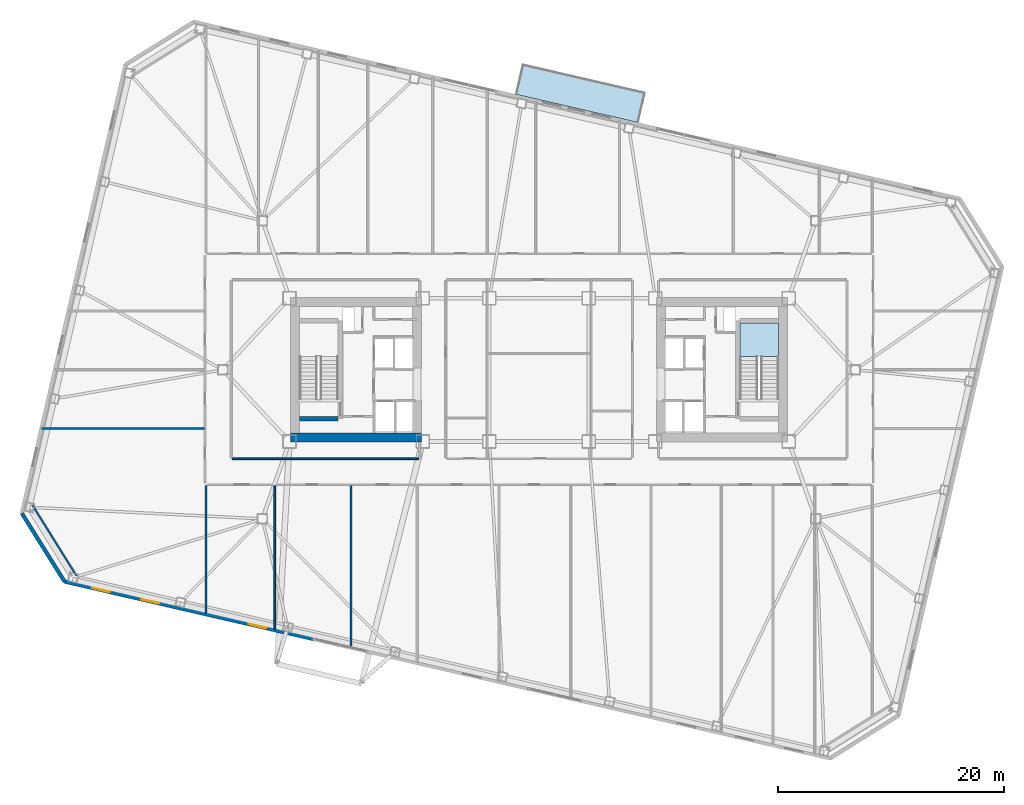
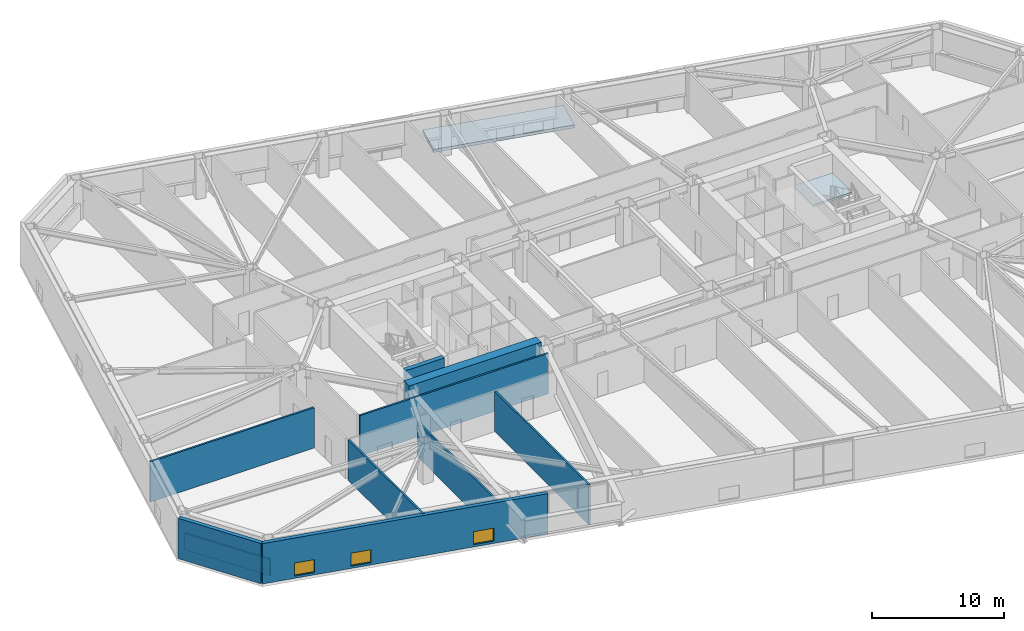
# One storey, part 9 of 20: 10 walls, 3 windows, 2 slabs, 3 openings, 1 element without a shape of its own.
"""IFC4 building model written with IfcOpenShell, lengths in metres."""

import ifcopenshell
import ifcopenshell.guid

model = None  # the IFC model being written
_history = None  # IfcOwnerHistory: only IFC2X3 demands one
_inside = {}  # id of a spatial element -> (the spatial element, [elements in it])
_under = {}  # id of a project, library or spatial element -> (it, [spatial elements below it])
_declared = {}  # id of a project -> (the project, [libraries it declares])
_typed = {}  # id of a type object -> (the type object, [elements of that type])
_made_of = {}  # id of a material, layer set ... -> (it, [elements and type objects made of it])


def new_model(schema):
    """Start an empty IFC model of exactly this schema.

    Asked for "IFC4X3", IfcOpenShell would pick the latest addendum, in which some entities
    have other attributes; the version numbers below select the first issue.
    IFC2X3 requires an IfcOwnerHistory on every rooted entity: one is made here for all.
    """
    global model, _history
    if schema == "IFC4X3":
        model = ifcopenshell.file(schema_version=(4, 3, 0, 0))
    else:
        model = ifcopenshell.file(schema=schema)
    _inside.clear()
    _under.clear()
    _declared.clear()
    _typed.clear()
    _made_of.clear()
    _history = None
    if model.schema == "IFC2X3":
        org = make("IfcOrganization", Name="unknown")
        user = make(
            "IfcPersonAndOrganization",
            ThePerson=make("IfcPerson", FamilyName="unknown"),
            TheOrganization=org,
        )
        app = make(
            "IfcApplication",
            ApplicationDeveloper=org,
            Version="unknown",
            ApplicationFullName="unknown",
            ApplicationIdentifier="unknown",
        )
        _history = make(
            "IfcOwnerHistory",
            OwningUser=user,
            OwningApplication=app,
            ChangeAction="ADDED",
            CreationDate=0,
        )
    return model


def make(cls, **values):
    """One entity of the class cls with the attributes given. An attribute that is None is left unset."""
    return model.create_entity(
        cls, **{name: value for name, value in values.items() if value is not None}
    )


def rooted(cls, **values):
    """An entity with a GlobalId (a new one), such as an element, a storey or a relation."""
    return make(cls, GlobalId=ifcopenshell.guid.new(), OwnerHistory=_history, **values)


def si_unit(unit_type, name, prefix=None):
    """IfcSIUnit, for example si_unit("LENGTHUNIT", "METRE", prefix="MILLI")."""
    return make("IfcSIUnit", UnitType=unit_type, Prefix=prefix, Name=name)


def assignment(units):
    """IfcUnitAssignment: the units of a project."""
    return None if units is None else make("IfcUnitAssignment", Units=units)


def point(xyz):
    """IfcCartesianPoint."""
    return None if xyz is None else make("IfcCartesianPoint", Coordinates=xyz)


def direction(xyz):
    """IfcDirection."""
    return None if xyz is None else make("IfcDirection", DirectionRatios=xyz)


def frame(location, z_axis=None, x_axis=None):
    """IfcAxis2Placement3D, a coordinate frame: its origin and axes. An axis left out is left unset."""
    return make(
        "IfcAxis2Placement3D",
        Location=point(location),
        Axis=direction(z_axis),
        RefDirection=direction(x_axis),
    )


def frame_2d(location, x_axis=None):
    """IfcAxis2Placement2D, a coordinate frame in the plane: its origin and x axis."""
    return make(
        "IfcAxis2Placement2D", Location=point(location), RefDirection=direction(x_axis)
    )


def origin():
    """The frame at (0, 0, 0) with its axes left unset."""
    return frame((0.0, 0.0, 0.0))


def place(relative_to, where):
    """IfcLocalPlacement: puts the frame where relative to a parent placement (None: the world)."""
    return make(
        "IfcLocalPlacement", PlacementRelTo=relative_to, RelativePlacement=where
    )


def context(
    kind, dimensions, precision=None, world=None, true_north=None, identifier=None
):
    """IfcGeometricRepresentationContext, for example the 3D "Model" context."""
    return make(
        "IfcGeometricRepresentationContext",
        ContextIdentifier=identifier,
        ContextType=kind,
        CoordinateSpaceDimension=dimensions,
        Precision=precision,
        WorldCoordinateSystem=world,
        TrueNorth=true_north,
    )


def subcontext(parent, identifier, kind, view, scale=None):
    """IfcGeometricRepresentationSubContext, for example "Body" below "Model"."""
    return make(
        "IfcGeometricRepresentationSubContext",
        ContextIdentifier=identifier,
        ContextType=kind,
        ParentContext=parent,
        TargetScale=scale,
        TargetView=view,
    )


def project(units=None, contexts=None):
    """IfcProject with its units and contexts."""
    return rooted(
        "IfcProject",
        Name="project",
        RepresentationContexts=contexts,
        UnitsInContext=assignment(units),
    )


def spatial(cls, under=None, at=None, **own):
    """A site, building, storey or space (cls), placed at a placement, below another one or the project."""
    s = rooted(cls, ObjectPlacement=at, **own)
    if under is not None:
        _under.setdefault(under.id(), (under, []))[1].append(s)
    return s


def polyline(points):
    """IfcPolyline through the points."""
    return make("IfcPolyline", Points=[point(p) for p in points])


def profile(cls, at=None, kind="AREA", **sizes):
    """A parametric profile (cls). Its sizes go by their IFC names, for example OverallWidth=200.0."""
    return make(cls, ProfileType=kind, Position=at, **sizes)


def rectangle(**sizes):
    """IfcRectangleProfileDef."""
    return profile("IfcRectangleProfileDef", **sizes)


def outline(outer, holes=None, kind="AREA"):
    """IfcArbitraryClosedProfileDef: a profile drawn as a closed curve; with holes, ...WithVoids."""
    if holes is None:
        return make("IfcArbitraryClosedProfileDef", ProfileType=kind, OuterCurve=outer)
    return make(
        "IfcArbitraryProfileDefWithVoids",
        ProfileType=kind,
        OuterCurve=outer,
        InnerCurves=holes,
    )


def extrude(swept, where, along, depth):
    """IfcExtrudedAreaSolid: the profile swept, set in the frame where, extruded along a direction by depth."""
    return make(
        "IfcExtrudedAreaSolid",
        SweptArea=swept,
        Position=where,
        ExtrudedDirection=direction(along),
        Depth=depth,
    )


def shape(context_of_items, identifier, shape_type, items):
    """IfcShapeRepresentation: the items that make up one representation, for example the "Body"."""
    return make(
        "IfcShapeRepresentation",
        ContextOfItems=context_of_items,
        RepresentationIdentifier=identifier,
        RepresentationType=shape_type,
        Items=items,
    )


def material(Name=None, Category=None):
    """IfcMaterial."""
    return make("IfcMaterial", Name=Name, Category=Category)


def layer(
    of_material, thickness, ventilated=None, Name=None, Category=None, Priority=None
):
    """IfcMaterialLayer: one layer of a wall or slab, of a material (None: an air gap)."""
    return make(
        "IfcMaterialLayer",
        Material=of_material,
        LayerThickness=thickness,
        IsVentilated=ventilated,
        Name=Name,
        Category=Category,
        Priority=Priority,
    )


def layer_set(layers, Name=None):
    """IfcMaterialLayerSet."""
    return make("IfcMaterialLayerSet", MaterialLayers=layers, LayerSetName=Name)


def made_of(thing, what):
    """Note that an element or type object is made of a material, layer set ...; save() writes the relation."""
    if what is not None:
        _made_of.setdefault(what.id(), (what, []))[1].append(thing)
    return thing


def type_object(cls, material=None, **own):
    """A type object (cls), such as IfcWallType, which elements share."""
    return made_of(rooted(cls, **own), material)


def element(
    cls,
    number,
    at=None,
    inside=None,
    cuts=None,
    type_object=None,
    material=None,
    context=None,
    identifier="Body",
    shape_type=None,
    held_by="IfcProductDefinitionShape",
    body=None,
    shapes=None,
    **own,
):
    """One element of the class cls, such as IfcWall. Its Tag is "e" and its number.

    at: its placement. inside: the storey or other place that contains it. cuts: it is an
    opening in that element (IfcRelVoidsElement). A single representation is given by context,
    identifier, shape_type and body (its items); several are given by shapes. held_by: the class
    of the entity that holds the representations. save() writes the other relations.
    """
    e = rooted(cls, Tag="e%d" % number, ObjectPlacement=at, **own)
    if body is not None:
        shapes = [shape(context, identifier, shape_type, body)]
    if shapes is not None:
        e.Representation = make(held_by, Representations=shapes)
    if inside is not None:
        _inside.setdefault(inside.id(), (inside, []))[1].append(e)
    if cuts is not None:
        rooted(
            "IfcRelVoidsElement", RelatingBuildingElement=cuts, RelatedOpeningElement=e
        )
    if type_object is not None:
        _typed.setdefault(type_object.id(), (type_object, []))[1].append(e)
    return made_of(e, material)


def fill(opening, filler):
    """IfcRelFillsElement: the door or window that sits in an opening."""
    return rooted(
        "IfcRelFillsElement",
        RelatingOpeningElement=opening,
        RelatedBuildingElement=filler,
    )


def aggregate(whole, parts):
    """IfcRelAggregates: a whole, such as a stair, and the parts it consists of."""
    return rooted("IfcRelAggregates", RelatingObject=whole, RelatedObjects=parts)


def save(model, path):
    """Write the relations noted so far, then the file.

    IfcRelAggregates (storeys below a building ...), IfcRelContainedInSpatialStructure (elements
    in a storey), IfcRelDefinesByType, IfcRelAssociatesMaterial and IfcRelDeclares: one each for
    every whole, place, type object, material and project.
    """
    for whole, parts in _under.values():
        aggregate(whole, parts)
    for where, things in _inside.values():
        rooted(
            "IfcRelContainedInSpatialStructure",
            RelatedElements=things,
            RelatingStructure=where,
        )
    for kind, things in _typed.values():
        rooted("IfcRelDefinesByType", RelatedObjects=things, RelatingType=kind)
    for what, things in _made_of.values():
        rooted("IfcRelAssociatesMaterial", RelatedObjects=things, RelatingMaterial=what)
    for by, libraries in _declared.values():
        rooted("IfcRelDeclares", RelatingContext=by, RelatedDefinitions=libraries)
    model.write(path)


model = new_model("IFC4")

# Units and contexts
model_context = context("Model", 3, precision=1e-05, world=origin(), true_north=direction((0.0, 1.0)))
body_context = subcontext(model_context, "Body", "Model", "MODEL_VIEW")
ifc_project = project(units=[si_unit("LENGTHUNIT", "METRE"), si_unit("AREAUNIT", "SQUARE_METRE"), si_unit("VOLUMEUNIT", "CUBIC_METRE"), si_unit("PLANEANGLEUNIT", "RADIAN"), si_unit("MASSUNIT", "GRAM", prefix="KILO")], contexts=[model_context])

# Site, building, storey
site_placement = place(None, origin())
site = spatial("IfcSite", under=ifc_project, at=site_placement, CompositionType="ELEMENT")
building_placement = place(site_placement, origin())
building = spatial("IfcBuilding", under=site, at=building_placement, Name="Tavrogorsk Clinical Tower", CompositionType="ELEMENT")
storey_placement = place(building_placement, frame((0.0, 0.0, 39.39990234375)))
storey = spatial("IfcBuildingStorey", under=building, at=storey_placement, Name="L07", CompositionType="ELEMENT", Elevation=39.39990234375)

# Stair, slab
ifc_material_1 = material(Name="Concrete B60", Category="concrete")
stair_type = type_object("IfcStairType", Name="CoreStairAssembly", PredefinedType="HALF_TURN_STAIR", material=ifc_material_1)
stair_placement = place(storey_placement, origin())
stair = element("IfcStair", 1, at=stair_placement, inside=storey, type_object=stair_type, Name="L07 ST-E", PredefinedType="HALF_TURN_STAIR")
ifc_material_2 = material(Name="Concrete B60", Category="concrete")
ifc_layer_1 = layer(ifc_material_2, 0.199951171875)
ifc_layer_set_1 = layer_set([ifc_layer_1], Name="Concrete B60")
slab_type_1 = type_object("IfcSlabType", Name="StairLanding_200", PredefinedType="LANDING", material=ifc_layer_set_1)
slab_1_placement = place(storey_placement, frame((0.0, 0.0, 1.800048828125)))
slab_1 = element("IfcSlab", 2, at=slab_1_placement, type_object=slab_type_1, Name="ST-E landing 1", PredefinedType="LANDING", context=body_context, shape_type="SweptSolid", body=[
    extrude(outline(polyline([(21.199951171875, 1.1650390625), (21.199951171875, 4.125), (17.800048828125, 4.125), (17.800048828125, 1.1650390625), (21.199951171875, 1.1650390625)])), origin(), (0.0, 0.0, 1.0), 0.199951171875),
])
aggregate(stair, [slab_1])

# Slab
ifc_material_3 = material(Name="Concrete B60", Category="concrete")
ifc_layer_2 = layer(ifc_material_3, 0.280029296875)
ifc_layer_set_2 = layer_set([ifc_layer_2], Name="Concrete B60")
slab_type_2 = type_object("IfcSlabType", Name="TerraceRoofSlab_280", PredefinedType="ROOF", material=ifc_layer_set_2)
slab_2_placement = place(storey_placement, frame((0.0, 0.0, -0.27978515625)))
element("IfcSlab", 3, at=slab_2_placement, inside=storey, type_object=slab_type_2, Name="Spiralling Recuperation Terrace Slab", PredefinedType="ROOF", context=body_context, shape_type="SweptSolid", body=[
    extrude(outline(polyline([(-1.47900390625, 27.0830078125), (9.433837890625, 24.563720703125), (8.815185546875, 21.884033203125), (-2.09765625, 24.403564453125), (-1.47900390625, 27.0830078125)])), origin(), (0.0, 0.0, 1.0), 0.27978515625),
])

# Walls
ifc_material_4 = material(Name="Lightweight concrete blockwork B15", Category="masonry")
ifc_layer_3 = layer(ifc_material_4, 0.159912109375)
ifc_layer_set_3 = layer_set([ifc_layer_3], Name="Lightweight concrete blockwork B15")
wall_type_1 = type_object("IfcWallType", Name="PartitionWall_160", PredefinedType="PARTITIONING", material=ifc_layer_set_3)
wall_1_placement = place(storey_placement, frame((-44.85986328125, -11.9892578125, 0.0), z_axis=(0.0, 0.0, 1.0), x_axis=(0.52991239767, -0.848052386823, 0.0)))
element("IfcWall", 4, at=wall_1_placement, inside=storey, type_object=wall_type_1, Name="L07 Corner Exoskeleton Brace Furring Wall 4", PredefinedType="PARTITIONING", context=body_context, shape_type="SweptSolid", body=[
    extrude(rectangle(XDim=7.35400390625, YDim=0.159912109375, at=frame_2d((3.677001953125, 0.0))), origin(), (0.0, 0.0, 1.0), 1.53515625),
])
wall_2_placement = place(storey_placement, frame((-27.18505859375, -7.8701171875, 0.0), z_axis=(0.0, 0.0, 1.0), x_axis=(1.0, 0.0, 0.0)))
element("IfcWall", 5, at=wall_2_placement, inside=storey, type_object=wall_type_1, Name="L07 Corridor Partition 18", PredefinedType="PARTITIONING", context=body_context, shape_type="SweptSolid", body=[
    extrude(rectangle(XDim=16.52001953125, YDim=0.159912109375, at=frame_2d((8.260009765625, 0.0))), origin(), (0.0, 0.0, 1.0), 3.739990234375),
])
wall_3_placement = place(storey_placement, frame((-29.5, -21.570556640625, 0.0), z_axis=(0.0, 0.0, 1.0), x_axis=(0.0, 1.0, 0.0)))
element("IfcWall", 6, at=wall_3_placement, inside=storey, type_object=wall_type_1, Name="L07 SW Wing Closure Partition", PredefinedType="PARTITIONING", context=body_context, shape_type="SweptSolid", body=[
    extrude(rectangle(XDim=11.3056640625, YDim=0.159912109375, at=frame_2d((5.65283203125, 0.0))), origin(), (0.0, 0.0, 1.0), 3.739990234375),
])
wall_4_placement = place(storey_placement, frame((-23.39990234375, -22.978759765625, 0.0), z_axis=(0.0, 0.0, 1.0), x_axis=(0.0, 1.0, 0.0)))
element("IfcWall", 7, at=wall_4_placement, inside=storey, type_object=wall_type_1, Name="L07 South Room Partition 1", PredefinedType="PARTITIONING", context=body_context, shape_type="SweptSolid", body=[
    extrude(rectangle(XDim=12.7138671875, YDim=0.159912109375, at=frame_2d((6.35693359375, 0.0))), origin(), (0.0, 0.0, 1.0), 3.235107421875),
])
wall_5_placement = place(storey_placement, frame((-16.64990234375, -24.537109375, 0.0), z_axis=(0.0, 0.0, 1.0), x_axis=(0.0, 1.0, 0.0)))
element("IfcWall", 8, at=wall_5_placement, inside=storey, type_object=wall_type_1, Name="L07 South Sub-Partition 2", PredefinedType="PARTITIONING", context=body_context, shape_type="SweptSolid", body=[
    extrude(rectangle(XDim=14.272216796875, YDim=0.159912109375, at=frame_2d((7.13623046875, 0.0))), origin(), (0.0, 0.0, 1.0), 3.739990234375),
])
wall_6_placement = place(storey_placement, frame((-44.0419921875, -5.199951171875, 0.0), z_axis=(0.0, 0.0, 1.0), x_axis=(1.0, 0.0, 0.0)))
element("IfcWall", 9, at=wall_6_placement, inside=storey, type_object=wall_type_1, Name="L07 W Wing Divider 1", PredefinedType="PARTITIONING", context=body_context, shape_type="SweptSolid", body=[
    extrude(rectangle(XDim=14.376953125, YDim=0.159912109375, at=frame_2d((7.1884765625, 0.0))), origin(), (0.0, 0.0, 1.0), 3.739990234375),
])

# Wall, openings, windows
ifc_material_5 = material(Name="Precast concrete B45 with limestone cladding", Category="masonry")
ifc_layer_4 = layer(ifc_material_5, 0.340087890625)
ifc_layer_set_4 = layer_set([ifc_layer_4], Name="Precast concrete B45 with limestone cladding")
wall_type_2 = type_object("IfcWallType", Name="PrecastLimestoneWall_340", PredefinedType="STANDARD", material=ifc_layer_set_4)
wall_7_placement = place(storey_placement, frame((-42.028564453125, -18.75, 0.0), z_axis=(0.0, 0.0, 1.0), x_axis=(0.97436993772, -0.224951604723, 0.0)))
wall_7 = element("IfcWall", 10, at=wall_7_placement, inside=storey, type_object=wall_type_2, Name="L07 S Limestone Facade Wall 1", PredefinedType="STANDARD", context=body_context, shape_type="SweptSolid", body=[
    extrude(rectangle(XDim=22.6513671875, YDim=0.340087890625, at=frame_2d((11.32568359375, 0.0))), origin(), (0.0, 0.0, 1.0), 3.739990234375),
])
opening_1_placement = place(wall_7_placement, frame((2.51220703125, 0.0, 0.219970703125)))
opening_1 = element("IfcOpeningElement", 11, at=opening_1_placement, cuts=wall_7, Name="Opening WN-09", PredefinedType="OPENING", context=body_context, shape_type="SweptSolid", body=[
    extrude(rectangle(XDim=1.60009765625, YDim=1.199951171875, at=frame_2d((0.800048828125, 0.60009765625))), frame((0.0, 0.179931640625, 0.0), z_axis=(0.0, -1.0, 0.0), x_axis=(1.0, 0.0, 0.0)), (0.0, 0.0, 1.0), 0.360107421875),
])
opening_2_placement = place(wall_7_placement, frame((6.99658203125, 0.0, 0.219970703125)))
opening_2 = element("IfcOpeningElement", 12, at=opening_2_placement, cuts=wall_7, Name="Opening WN-09", PredefinedType="OPENING", context=body_context, shape_type="SweptSolid", body=[
    extrude(rectangle(XDim=1.60009765625, YDim=1.199951171875, at=frame_2d((0.800048828125, 0.60009765625))), frame((0.0, 0.179931640625, 0.0), z_axis=(0.0, -1.0, 0.0), x_axis=(1.0, 0.0, 0.0)), (0.0, 0.0, 1.0), 0.360107421875),
])
opening_3_placement = place(wall_7_placement, frame((16.7451171875, 0.0, 0.219970703125)))
opening_3 = element("IfcOpeningElement", 13, at=opening_3_placement, cuts=wall_7, Name="Opening WN-09", PredefinedType="OPENING", context=body_context, shape_type="SweptSolid", body=[
    extrude(rectangle(XDim=1.60009765625, YDim=1.199951171875, at=frame_2d((0.800048828125, 0.60009765625))), frame((0.0, 0.179931640625, 0.0), z_axis=(0.0, -1.0, 0.0), x_axis=(1.0, 0.0, 0.0)), (0.0, 0.0, 1.0), 0.360107421875),
])
ifc_material_6 = material(Name="Thermally broken aluminium frame and triple IGU", Category="aluminium")
window_type = type_object("IfcWindowType", Name="LowHeadTransWin_1600x1200", PartitioningType="DOUBLE_PANEL_VERTICAL", PredefinedType="WINDOW", material=ifc_material_6)
window_1_placement = place(opening_1_placement, origin())
window_1 = element("IfcWindow", 14, at=window_1_placement, inside=storey, type_object=window_type, Name="L07 S Chicago Window 01", OverallHeight=1.199951171875, OverallWidth=1.60009765625, PartitioningType="SINGLE_PANEL", PredefinedType="WINDOW", context=body_context, shape_type="SweptSolid", body=[
    extrude(rectangle(XDim=1.60009765625, YDim=1.199951171875, at=frame_2d((0.800048828125, 0.60009765625))), frame((0.0, 0.030029296875, 0.0), z_axis=(0.0, -1.0, 0.0), x_axis=(1.0, 0.0, 0.0)), (0.0, 0.0, 1.0), 0.06005859375),
])
fill(opening_1, window_1)
window_2_placement = place(opening_2_placement, origin())
window_2 = element("IfcWindow", 15, at=window_2_placement, inside=storey, type_object=window_type, Name="L07 S Chicago Window 02", OverallHeight=1.199951171875, OverallWidth=1.60009765625, PartitioningType="SINGLE_PANEL", PredefinedType="WINDOW", context=body_context, shape_type="SweptSolid", body=[
    extrude(rectangle(XDim=1.60009765625, YDim=1.199951171875, at=frame_2d((0.800048828125, 0.60009765625))), frame((0.0, 0.030029296875, 0.0), z_axis=(0.0, -1.0, 0.0), x_axis=(1.0, 0.0, 0.0)), (0.0, 0.0, 1.0), 0.06005859375),
])
fill(opening_2, window_2)
window_3_placement = place(opening_3_placement, origin())
window_3 = element("IfcWindow", 16, at=window_3_placement, inside=storey, type_object=window_type, Name="L07 S Chicago Window 04", OverallHeight=1.199951171875, OverallWidth=1.60009765625, PartitioningType="SINGLE_PANEL", PredefinedType="WINDOW", context=body_context, shape_type="SweptSolid", body=[
    extrude(rectangle(XDim=1.60009765625, YDim=1.199951171875, at=frame_2d((0.800048828125, 0.60009765625))), frame((0.0, 0.030029296875, 0.0), z_axis=(0.0, -1.0, 0.0), x_axis=(1.0, 0.0, 0.0)), (0.0, 0.0, 1.0), 0.06005859375),
])
fill(opening_3, window_3)

# Walls
wall_8_placement = place(storey_placement, frame((-45.798095703125, -12.71728515625, 0.0), z_axis=(0.0, 0.0, 1.0), x_axis=(0.529906387556, -0.848056142261, 0.0)))
element("IfcWall", 17, at=wall_8_placement, inside=storey, type_object=wall_type_2, Name="L07 Chamfered Corner Wall 4", PredefinedType="STANDARD", context=body_context, shape_type="SweptSolid", body=[
    extrude(rectangle(XDim=7.113525390625, YDim=0.340087890625, at=frame_2d((3.556640625, 0.0))), origin(), (0.0, 0.0, 1.0), 3.739990234375),
])
ifc_material_7 = material(Name="Concrete B80", Category="concrete")
ifc_layer_5 = layer(ifc_material_7, 0.39990234375)
ifc_layer_set_5 = layer_set([ifc_layer_5], Name="Concrete B80")
wall_type_3 = type_object("IfcWallType", Name="ShearWall_400", PredefinedType="SHEAR", material=ifc_layer_set_5)
wall_9_placement = place(storey_placement, frame((-21.199951171875, -4.324951171875, 0.0), z_axis=(0.0, 0.0, 1.0), x_axis=(1.0, 0.0, 0.0)))
element("IfcWall", 18, at=wall_9_placement, inside=storey, type_object=wall_type_3, Name="L07 Core West Stair Shaft South Shear Wall", PredefinedType="SHEAR", context=body_context, shape_type="SweptSolid", body=[
    extrude(rectangle(XDim=3.39990234375, YDim=0.39990234375, at=frame_2d((1.699951171875, 0.0))), origin(), (0.0, 0.0, 1.0), 3.739990234375),
])
ifc_material_8 = material(Name="Concrete B80", Category="concrete")
ifc_layer_6 = layer(ifc_material_8, 0.800048828125)
ifc_layer_set_6 = layer_set([ifc_layer_6], Name="Concrete B80")
wall_type_4 = type_object("IfcWallType", Name="ShearWall_800", PredefinedType="SHEAR", material=ifc_layer_set_6)
wall_10_placement = place(storey_placement, frame((-22.0, -6.0, 0.0), z_axis=(0.0, 0.0, 1.0), x_axis=(1.0, 0.0, 0.0)))
element("IfcWall", 19, at=wall_10_placement, inside=storey, type_object=wall_type_4, Name="L07 Core West South Shear Wall", PredefinedType="SHEAR", context=body_context, shape_type="SweptSolid", body=[
    extrude(rectangle(XDim=11.60009765625, YDim=0.800048828125, at=frame_2d((5.800048828125, 0.0))), origin(), (0.0, 0.0, 1.0), 3.739990234375),
])

save(model, "model.ifc")
